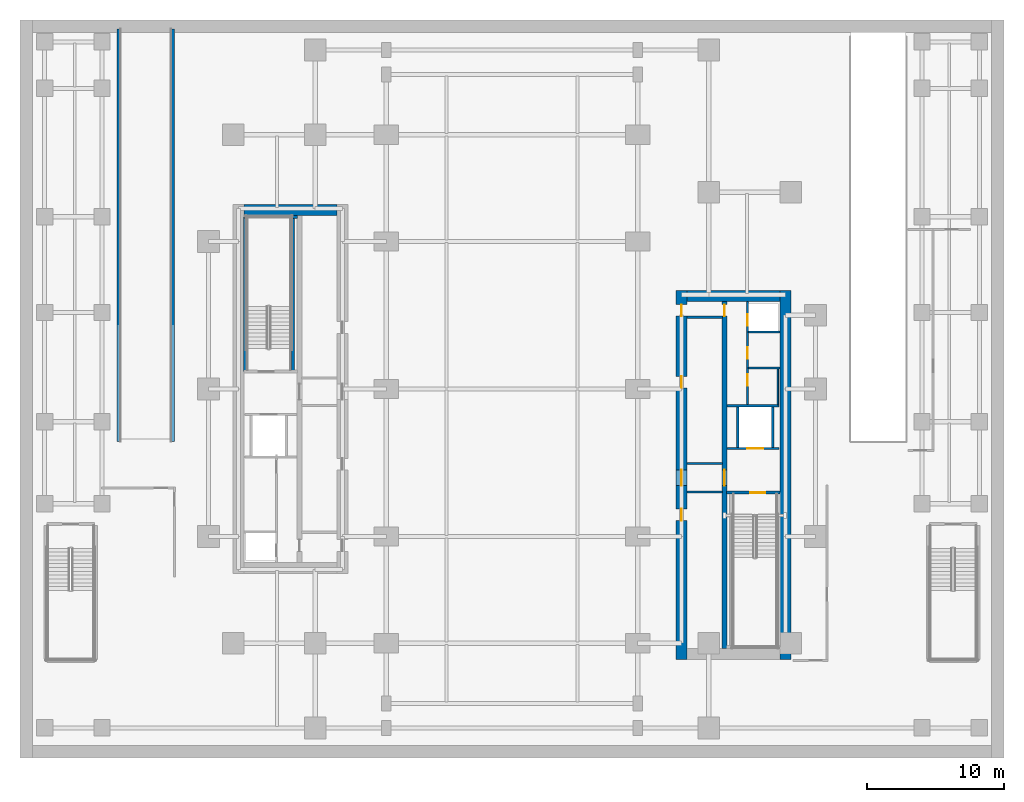
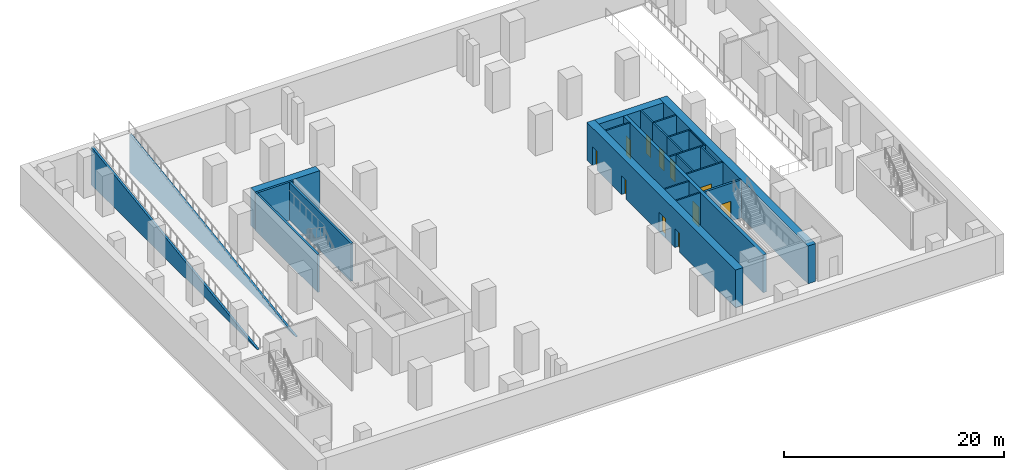
# One storey, part 6 of 14: 24 walls, 11 doors, 11 openings.
"""IFC4 building model written with IfcOpenShell, lengths in metres."""

from ifc_helpers import new_model, si_unit, direction, frame, frame_2d, origin, place, context, subcontext, project, spatial, polyline, rectangle, outline, extrude, material, layer, layer_set, type_object, element, fill, save


model = new_model("IFC4")

# Units and contexts
model_context = context("Model", 3, precision=1e-05, world=origin(), true_north=direction((0.0, 1.0)))
body_context = subcontext(model_context, "Body", "Model", "MODEL_VIEW")
ifc_project = project(units=[si_unit("LENGTHUNIT", "METRE"), si_unit("AREAUNIT", "SQUARE_METRE"), si_unit("VOLUMEUNIT", "CUBIC_METRE"), si_unit("PLANEANGLEUNIT", "RADIAN"), si_unit("MASSUNIT", "GRAM", prefix="KILO")], contexts=[model_context])

# Site, building, storey
site_placement = place(None, origin())
site = spatial("IfcSite", under=ifc_project, at=site_placement, CompositionType="ELEMENT")
building_placement = place(site_placement, origin())
building = spatial("IfcBuilding", under=site, at=building_placement, Name="Khairoan Windgate Tower", CompositionType="ELEMENT")
storey_placement = place(building_placement, frame((0.0, 0.0, -4.5)))
storey = spatial("IfcBuildingStorey", under=building, at=storey_placement, Name="B1", CompositionType="ELEMENT", Elevation=-4.5)

# Wall
ifc_material_1 = material(Name="Moisture-Resistant Gypsum Partition", Category="gypsum")
ifc_layer_1 = layer(ifc_material_1, 0.10009765625, Name="Moisture-Resistant Gypsum Partition")
ifc_layer_set_1 = layer_set([ifc_layer_1], Name="Moisture-Resistant Gypsum Partition")
wall_type_1 = type_object("IfcWallType", Name="Bathroom Wet-Area Partition Wall", PredefinedType="PARTITIONING", material=ifc_layer_set_1)
wall_1_placement = place(storey_placement, frame((19.449951171875, 1.449951171875, 0.0), z_axis=(0.0, 0.0, 1.0), x_axis=(0.0, -1.0, 0.0)))
element("IfcWall", 1, at=wall_1_placement, inside=storey, type_object=wall_type_1, Name="B1 Wet Room Side Wall 017", PredefinedType="PARTITIONING", context=body_context, shape_type="SweptSolid", body=[
    extrude(rectangle(XDim=2.58984375, YDim=0.10009765625, at=frame_2d((1.294921875, 0.0))), origin(), (0.0, 0.0, 1.0), 4.199951171875),
])

# Wall, opening, door
ifc_material_2 = material(Name="Concrete C40/50", Category="concrete")
ifc_layer_2 = layer(ifc_material_2, 0.159912109375, Name="Concrete C40/50")
ifc_layer_set_2 = layer_set([ifc_layer_2], Name="Concrete C40/50")
wall_type_2 = type_object("IfcWallType", Name="Core and Hoistway Enclosure Wall", PredefinedType="STANDARD", material=ifc_layer_set_2)
wall_2_placement = place(storey_placement, frame((15.75, -4.360107421875, 0.0), z_axis=(0.0, 0.0, 1.0), x_axis=(1.0, 0.0, 0.0)))
wall_2 = element("IfcWall", 2, at=wall_2_placement, inside=storey, type_object=wall_type_2, Name="B1 Core Shaft Wall SW-FL1-B1", PredefinedType="STANDARD", context=body_context, shape_type="SweptSolid", body=[
    extrude(rectangle(XDim=3.800048828125, YDim=0.159912109375, at=frame_2d((1.89990234375, 0.0))), origin(), (0.0, 0.0, 1.0), 4.199951171875),
])
opening_1_placement = place(wall_2_placement, frame((1.469970703125, 0.0, 0.0)))
opening_1 = element("IfcOpeningElement", 3, at=opening_1_placement, cuts=wall_2, Name="Opening LD-FL", PredefinedType="OPENING", context=body_context, shape_type="SweptSolid", body=[
    extrude(rectangle(XDim=1.14990234375, YDim=2.199951171875, at=frame_2d((0.574951171875, 1.10009765625))), frame((0.0, 0.08984375, 0.0), z_axis=(0.0, -1.0, 0.0), x_axis=(1.0, 0.0, 0.0)), (0.0, 0.0, 1.0), 0.179931640625),
])
ifc_material_3 = material(Name="Steel S355", Category="steel")
door_type_1 = type_object("IfcDoorType", Name="Firefighting Lift Sliding Landing Door LD-FL 1150x2200", OperationType="DOUBLE_DOOR_SLIDING", PredefinedType="DOOR", material=ifc_material_3)
door_1_placement = place(opening_1_placement, origin())
door_1 = element("IfcDoor", 4, at=door_1_placement, inside=storey, type_object=door_type_1, Name="B1 Firefighting Lift FL1 Landing Door", OperationType="DOUBLE_DOOR_SLIDING", OverallHeight=2.199951171875, OverallWidth=1.14990234375, PredefinedType="DOOR", context=body_context, shape_type="SweptSolid", body=[
    extrude(rectangle(XDim=1.14990234375, YDim=2.199951171875, at=frame_2d((0.574951171875, 1.10009765625))), frame((0.0, 0.02490234375, 0.0), z_axis=(0.0, -1.0, 0.0), x_axis=(1.0, 0.0, 0.0)), (0.0, 0.0, 1.0), 0.050048828125),
])
fill(opening_1, door_1)

# Walls
wall_3_placement = place(storey_placement, frame((15.75, -1.219970703125, 0.0), z_axis=(0.0, 0.0, 1.0), x_axis=(1.0, 0.0, 0.0)))
element("IfcWall", 5, at=wall_3_placement, inside=storey, type_object=wall_type_2, Name="B1 Core Shaft Wall SW-FL1T-B1", PredefinedType="STANDARD", context=body_context, shape_type="SweptSolid", body=[
    extrude(rectangle(XDim=3.800048828125, YDim=0.159912109375, at=frame_2d((1.89990234375, 0.0))), origin(), (0.0, 0.0, 1.0), 4.199951171875),
])
for number, where, z_axis, x_axis, name in (
    (6, (16.52001953125, -4.280029296875, 0.0), (0.0, 0.0, 1.0), (0.0, 1.0, 0.0), "B1 Core Shaft Wall SW-FL1W-B1"),
    (7, (19.080078125, -4.280029296875, 0.0), (0.0, 0.0, 1.0), (0.0, 1.0, 0.0), "B1 Core Shaft Wall SW-FL1E-B1"),
):
    element("IfcWall", number, at=place(storey_placement, frame(where, z_axis=z_axis, x_axis=x_axis)), inside=storey, type_object=wall_type_2, Name=name, PredefinedType="STANDARD", context=body_context, shape_type="SweptSolid", body=[
        extrude(rectangle(XDim=2.97998046875, YDim=0.159912109375, at=frame_2d((1.489990234375, 0.0))), origin(), (0.0, 0.0, 1.0), 4.199951171875),
    ])
for number, where, z_axis, x_axis, name in (
    (8, (12.800048828125, -5.449951171875, 0.0), (0.0, 0.0, 1.0), (1.0, 0.0, 0.0), "B1 Core Shaft Wall SW-EV1-B1"),
    (9, (12.800048828125, -7.5400390625, 0.0), (0.0, 0.0, 1.0), (1.0, 0.0, 0.0), "B1 Core Shaft Wall SW-EV2-B1"),
    (10, (12.800048828125, 5.25, 0.0), (0.0, 0.0, 1.0), (1.0, 0.0, 0.0), "B1 Core Shaft Wall SW-ESV-B1"),
):
    element("IfcWall", number, at=place(storey_placement, frame(where, z_axis=z_axis, x_axis=x_axis)), inside=storey, type_object=wall_type_2, Name=name, PredefinedType="STANDARD", context=body_context, shape_type="SweptSolid", body=[
        extrude(rectangle(XDim=2.599853515625, YDim=0.159912109375, at=frame_2d((1.2998046875, 0.0))), origin(), (0.0, 0.0, 1.0), 4.199951171875),
    ])

# Wall, opening, door
ifc_material_4 = material(Name="Concrete C40/50", Category="concrete")
ifc_layer_3 = layer(ifc_material_4, 0.159912109375, Name="Concrete C40/50")
ifc_layer_set_3 = layer_set([ifc_layer_3], Name="Concrete C40/50")
wall_type_3 = type_object("IfcWallType", Name="Plant and Refuge Compartment Wall", PredefinedType="PARTITIONING", material=ifc_layer_set_3)
wall_4_placement = place(storey_placement, frame((17.22998046875, 4.169921875, 0.0), z_axis=(0.0, 0.0, 1.0), x_axis=(0.0, 1.0, 0.0)))
wall_4 = element("IfcWall", 11, at=wall_4_placement, inside=storey, type_object=wall_type_3, Name="B1 Interior Partition 004", PredefinedType="PARTITIONING", context=body_context, shape_type="SweptSolid", body=[
    extrude(rectangle(XDim=2.22998046875, YDim=0.159912109375, at=frame_2d((1.114990234375, 0.0))), origin(), (0.0, 0.0, 1.0), 4.199951171875),
])
opening_2_placement = place(wall_4_placement, frame((0.4599609375, 0.0, 0.0)))
opening_2 = element("IfcOpeningElement", 12, at=opening_2_placement, cuts=wall_4, Name="Opening FD-SRV", PredefinedType="OPENING", context=body_context, shape_type="SweptSolid", body=[
    extrude(rectangle(XDim=0.85009765625, YDim=2.10009765625, at=frame_2d((0.425048828125, 1.050048828125))), frame((0.0, 0.08984375, 0.0), z_axis=(0.0, -1.0, 0.0), x_axis=(1.0, 0.0, 0.0)), (0.0, 0.0, 1.0), 0.179931640625),
])
ifc_material_5 = material(Name="Steel S355", Category="steel")
door_type_2 = type_object("IfcDoorType", Name="Core Service and Riser Fire Door FD-SRV 850x2100", OperationType="NOTDEFINED", PredefinedType="DOOR", material=ifc_material_5)
door_2_placement = place(opening_2_placement, origin())
door_2 = element("IfcDoor", 13, at=door_2_placement, inside=storey, type_object=door_type_2, Name="B1 B1-14-B1-15 Door", OperationType="SINGLE_SWING_LEFT", OverallHeight=2.10009765625, OverallWidth=0.85009765625, PredefinedType="DOOR", context=body_context, shape_type="SweptSolid", body=[
    extrude(rectangle(XDim=0.85009765625, YDim=2.10009765625, at=frame_2d((0.425048828125, 1.050048828125))), frame((0.0, 0.02490234375, 0.0), z_axis=(0.0, -1.0, 0.0), x_axis=(1.0, 0.0, 0.0)), (0.0, 0.0, 1.0), 0.050048828125),
])
fill(opening_2, door_2)

wall_5_placement = place(storey_placement, frame((17.22998046875, -1.139892578125, 0.0), z_axis=(0.0, 0.0, 1.0), x_axis=(0.0, 1.0, 0.0)))
wall_5 = element("IfcWall", 14, at=wall_5_placement, inside=storey, type_object=wall_type_3, Name="B1 Interior Partition 005", PredefinedType="PARTITIONING", context=body_context, shape_type="SweptSolid", body=[
    extrude(rectangle(XDim=2.669921875, YDim=0.159912109375, at=frame_2d((1.3349609375, 0.0))), origin(), (0.0, 0.0, 1.0), 4.199951171875),
])
opening_3_placement = place(wall_5_placement, frame((1.360107421875, 0.0, 0.0)))
opening_3 = element("IfcOpeningElement", 15, at=opening_3_placement, cuts=wall_5, Name="Opening FD-SRV", PredefinedType="OPENING", context=body_context, shape_type="SweptSolid", body=[
    extrude(rectangle(XDim=0.85009765625, YDim=2.10009765625, at=frame_2d((0.425048828125, 1.050048828125))), frame((0.0, 0.08984375, 0.0), z_axis=(0.0, -1.0, 0.0), x_axis=(1.0, 0.0, 0.0)), (0.0, 0.0, 1.0), 0.179931640625),
])
door_3_placement = place(opening_3_placement, origin())
door_3 = element("IfcDoor", 16, at=door_3_placement, inside=storey, type_object=door_type_2, Name="B1 B1-14-B1-16 Door", OperationType="SINGLE_SWING_RIGHT", OverallHeight=2.10009765625, OverallWidth=0.85009765625, PredefinedType="DOOR", context=body_context, shape_type="SweptSolid", body=[
    extrude(rectangle(XDim=0.85009765625, YDim=2.10009765625, at=frame_2d((0.425048828125, 1.050048828125))), frame((0.0, 0.02490234375, 0.0), z_axis=(0.0, -1.0, 0.0), x_axis=(1.0, 0.0, 0.0)), (0.0, 0.0, 1.0), 0.050048828125),
])
fill(opening_3, door_3)

wall_6_placement = place(storey_placement, frame((17.22998046875, 1.530029296875, 0.0), z_axis=(0.0, 0.0, 1.0), x_axis=(0.0, 1.0, 0.0)))
wall_6 = element("IfcWall", 17, at=wall_6_placement, inside=storey, type_object=wall_type_3, Name="B1 Interior Partition 006", PredefinedType="PARTITIONING", context=body_context, shape_type="SweptSolid", body=[
    extrude(rectangle(XDim=2.639892578125, YDim=0.159912109375, at=frame_2d((1.31982421875, 0.0))), origin(), (0.0, 0.0, 1.0), 4.199951171875),
])
opening_4_placement = place(wall_6_placement, frame((0.677490234375, 0.0, 0.0)))
opening_4 = element("IfcOpeningElement", 18, at=opening_4_placement, cuts=wall_6, Name="Opening FD-SRV", PredefinedType="OPENING", context=body_context, shape_type="SweptSolid", body=[
    extrude(rectangle(XDim=0.85009765625, YDim=2.10009765625, at=frame_2d((0.425048828125, 1.050048828125))), frame((0.0, 0.08984375, 0.0), z_axis=(0.0, -1.0, 0.0), x_axis=(1.0, 0.0, 0.0)), (0.0, 0.0, 1.0), 0.179931640625),
])
door_4_placement = place(opening_4_placement, origin())
door_4 = element("IfcDoor", 19, at=door_4_placement, inside=storey, type_object=door_type_2, Name="B1 B1-14-B1-17 Door", OperationType="SINGLE_SWING_LEFT", OverallHeight=2.10009765625, OverallWidth=0.85009765625, PredefinedType="DOOR", context=body_context, shape_type="SweptSolid", body=[
    extrude(rectangle(XDim=0.85009765625, YDim=2.10009765625, at=frame_2d((0.425048828125, 1.050048828125))), frame((0.0, 0.02490234375, 0.0), z_axis=(0.0, -1.0, 0.0), x_axis=(1.0, 0.0, 0.0)), (0.0, 0.0, 1.0), 0.050048828125),
])
fill(opening_4, door_4)

# Walls
for number, where, z_axis, x_axis, name in (
    (20, (17.31005859375, 4.169921875, 0.0), (0.0, 0.0, 1.0), (1.0, 0.0, 0.0), "B1 Interior Partition 007"),
    (21, (17.31005859375, 1.530029296875, 0.0), (0.0, 0.0, 1.0), (1.0, 0.0, 0.0), "B1 Interior Partition 008"),
):
    element("IfcWall", number, at=place(storey_placement, frame(where, z_axis=z_axis, x_axis=x_axis)), inside=storey, type_object=wall_type_3, Name=name, PredefinedType="PARTITIONING", context=body_context, shape_type="SweptSolid", body=[
        extrude(rectangle(XDim=2.2900390625, YDim=0.159912109375, at=frame_2d((1.14501953125, 0.0))), origin(), (0.0, 0.0, 1.0), 4.199951171875),
    ])

# Wall, openings, doors
ifc_material_6 = material(Name="Concrete C70/85", Category="concrete")
ifc_layer_4 = layer(ifc_material_6, 0.800048828125, Name="Concrete C70/85")
ifc_layer_set_4 = layer_set([ifc_layer_4], Name="Concrete C70/85")
wall_type_4 = type_object("IfcWallType", Name="Shear Wall CW-E1 800mm", PredefinedType="SHEAR", material=ifc_layer_set_4)
wall_7_placement = place(storey_placement, frame((12.39990234375, -19.800048828125, 0.0), z_axis=(0.0, 0.0, 1.0), x_axis=(0.0, 1.0, 0.0)))
wall_7 = element("IfcWall", 22, at=wall_7_placement, inside=storey, type_object=wall_type_4, Name="E Core West Shear Wall B1", PredefinedType="SHEAR", context=body_context, shape_type="SweptSolid", body=[
    extrude(rectangle(XDim=27.0, YDim=0.800048828125, at=frame_2d((13.5, 0.0))), origin(), (0.0, 0.0, 1.0), 4.199951171875),
])
opening_5_placement = place(wall_7_placement, frame((19.875, 0.0, 0.0)))
opening_5 = element("IfcOpeningElement", 23, at=opening_5_placement, cuts=wall_7, Name="Opening FD-SRV", PredefinedType="OPENING", context=body_context, shape_type="SweptSolid", body=[
    extrude(rectangle(XDim=0.85009765625, YDim=2.10009765625, at=frame_2d((0.425048828125, 1.050048828125))), frame((0.0, 0.409912109375, 0.0), z_axis=(0.0, -1.0, 0.0), x_axis=(1.0, 0.0, 0.0)), (0.0, 0.0, 1.0), 0.820068359375),
])
opening_6_placement = place(wall_7_placement, frame((10.175048828125, 0.0, 0.0)))
opening_6 = element("IfcOpeningElement", 24, at=opening_6_placement, cuts=wall_7, Name="Opening FD-SRV", PredefinedType="OPENING", context=body_context, shape_type="SweptSolid", body=[
    extrude(rectangle(XDim=0.85009765625, YDim=2.10009765625, at=frame_2d((0.425048828125, 1.050048828125))), frame((0.0, 0.409912109375, 0.0), z_axis=(0.0, -1.0, 0.0), x_axis=(1.0, 0.0, 0.0)), (0.0, 0.0, 1.0), 0.820068359375),
])
opening_7_placement = place(wall_7_placement, frame((12.72509765625, 0.0, 0.0)))
opening_7 = element("IfcOpeningElement", 25, at=opening_7_placement, cuts=wall_7, Name="Opening FD-FFL", PredefinedType="OPENING", context=body_context, shape_type="SweptSolid", body=[
    extrude(rectangle(XDim=1.14990234375, YDim=2.199951171875, at=frame_2d((0.574951171875, 1.10009765625))), frame((0.0, 0.409912109375, 0.0), z_axis=(0.0, -1.0, 0.0), x_axis=(1.0, 0.0, 0.0)), (0.0, 0.0, 1.0), 0.820068359375),
])
opening_8_placement = place(wall_7_placement, frame((25.125, 0.0, 0.0)))
opening_8 = element("IfcOpeningElement", 26, at=opening_8_placement, cuts=wall_7, Name="Opening FD-SRV", PredefinedType="OPENING", context=body_context, shape_type="SweptSolid", body=[
    extrude(rectangle(XDim=0.85009765625, YDim=2.10009765625, at=frame_2d((0.425048828125, 1.050048828125))), frame((0.0, 0.409912109375, 0.0), z_axis=(0.0, -1.0, 0.0), x_axis=(1.0, 0.0, 0.0)), (0.0, 0.0, 1.0), 0.820068359375),
])
door_5_placement = place(opening_5_placement, origin())
door_5 = element("IfcDoor", 27, at=door_5_placement, inside=storey, type_object=door_type_2, Name="B1 East Basement Fan Plant Door", OperationType="SINGLE_SWING_LEFT", OverallHeight=2.10009765625, OverallWidth=0.85009765625, PredefinedType="DOOR", context=body_context, shape_type="SweptSolid", body=[
    extrude(rectangle(XDim=0.85009765625, YDim=2.10009765625, at=frame_2d((0.425048828125, 1.050048828125))), frame((0.0, 0.02490234375, 0.0), z_axis=(0.0, -1.0, 0.0), x_axis=(1.0, 0.0, 0.0)), (0.0, 0.0, 1.0), 0.050048828125),
])
fill(opening_5, door_5)
door_6_placement = place(opening_6_placement, origin())
door_6 = element("IfcDoor", 28, at=door_6_placement, inside=storey, type_object=door_type_2, Name="B1 East Core Service Room Door 1", OperationType="SINGLE_SWING_RIGHT", OverallHeight=2.10009765625, OverallWidth=0.85009765625, PredefinedType="DOOR", context=body_context, shape_type="SweptSolid", body=[
    extrude(rectangle(XDim=0.85009765625, YDim=2.10009765625, at=frame_2d((0.425048828125, 1.050048828125))), frame((0.0, 0.02490234375, 0.0), z_axis=(0.0, -1.0, 0.0), x_axis=(1.0, 0.0, 0.0)), (0.0, 0.0, 1.0), 0.050048828125),
])
fill(opening_6, door_6)
door_7_placement = place(opening_8_placement, origin())
door_7 = element("IfcDoor", 29, at=door_7_placement, inside=storey, type_object=door_type_2, Name="B1 East Core Service Vestibule Outer Door", OperationType="SINGLE_SWING_LEFT", OverallHeight=2.10009765625, OverallWidth=0.85009765625, PredefinedType="DOOR", context=body_context, shape_type="SweptSolid", body=[
    extrude(rectangle(XDim=0.85009765625, YDim=2.10009765625, at=frame_2d((0.425048828125, 1.050048828125))), frame((0.0, 0.02490234375, 0.0), z_axis=(0.0, -1.0, 0.0), x_axis=(1.0, 0.0, 0.0)), (0.0, 0.0, 1.0), 0.050048828125),
])
fill(opening_8, door_7)
ifc_material_7 = material(Name="Steel S355", Category="steel")
door_type_3 = type_object("IfcDoorType", Name="Firefighting Lobby Fire Door FD-FFL 1150x2200", OperationType="NOTDEFINED", PredefinedType="DOOR", material=ifc_material_7)
door_8_placement = place(opening_7_placement, origin())
door_8 = element("IfcDoor", 30, at=door_8_placement, inside=storey, type_object=door_type_3, Name="B1 East Core Vestibule Entry Door", OperationType="SINGLE_SWING_LEFT", OverallHeight=2.199951171875, OverallWidth=1.14990234375, PredefinedType="DOOR", context=body_context, shape_type="SweptSolid", body=[
    extrude(rectangle(XDim=1.14990234375, YDim=2.199951171875, at=frame_2d((0.574951171875, 1.10009765625))), frame((0.0, 0.02490234375, 0.0), z_axis=(0.0, -1.0, 0.0), x_axis=(1.0, 0.0, 0.0)), (0.0, 0.0, 1.0), 0.050048828125),
])
fill(opening_7, door_8)

# Walls
wall_8_placement = place(storey_placement, frame((20.0, -19.800048828125, 0.0), z_axis=(0.0, 0.0, 1.0), x_axis=(0.0, 1.0, 0.0)))
element("IfcWall", 31, at=wall_8_placement, inside=storey, type_object=wall_type_4, Name="E Core East Shear Wall B1", PredefinedType="SHEAR", context=body_context, shape_type="SweptSolid", body=[
    extrude(rectangle(XDim=27.0, YDim=0.800048828125, at=frame_2d((13.5, 0.0))), origin(), (0.0, 0.0, 1.0), 4.199951171875),
])
wall_9_placement = place(storey_placement, frame((12.800048828125, 6.800048828125, 0.0), z_axis=(0.0, 0.0, 1.0), x_axis=(1.0, 0.0, 0.0)))
element("IfcWall", 32, at=wall_9_placement, inside=storey, type_object=wall_type_4, Name="E Core North Shear Wall B1", PredefinedType="SHEAR", context=body_context, shape_type="SweptSolid", body=[
    extrude(rectangle(XDim=6.800048828125, YDim=0.800048828125, at=frame_2d((3.39990234375, 0.0))), origin(), (0.0, 0.0, 1.0), 4.199951171875),
])
ifc_material_8 = material(Name="Concrete C70/85", Category="concrete")
ifc_layer_5 = layer(ifc_material_8, 0.800048828125, Name="Concrete C70/85")
ifc_layer_set_5 = layer_set([ifc_layer_5], Name="Concrete C70/85")
wall_type_5 = type_object("IfcWallType", Name="Shear Wall CW-W1 800mm", PredefinedType="SHEAR", material=ifc_layer_set_5)
wall_10_placement = place(storey_placement, frame((-19.60009765625, 13.10009765625, 0.0), z_axis=(0.0, 0.0, 1.0), x_axis=(1.0, 0.0, 0.0)))
element("IfcWall", 33, at=wall_10_placement, inside=storey, type_object=wall_type_5, Name="W Core North Shear Wall B1", PredefinedType="SHEAR", context=body_context, shape_type="SweptSolid", body=[
    extrude(rectangle(XDim=6.800048828125, YDim=0.800048828125, at=frame_2d((3.39990234375, 0.0))), origin(), (0.0, 0.0, 1.0), 4.199951171875),
])

# Wall, openings, doors
ifc_material_9 = material(Name="Concrete C60/75", Category="concrete")
ifc_layer_6 = layer(ifc_material_9, 0.35009765625, Name="Concrete C60/75")
ifc_layer_set_6 = layer_set([ifc_layer_6], Name="Concrete C60/75")
wall_type_6 = type_object("IfcWallType", Name="Shear Wall SW-1 350mm", PredefinedType="SHEAR", material=ifc_layer_set_6)
wall_11_placement = place(storey_placement, frame((15.550048828125, -19.0, 0.0), z_axis=(0.0, 0.0, 1.0), x_axis=(0.0, 1.0, 0.0)))
wall_11 = element("IfcWall", 34, at=wall_11_placement, inside=storey, type_object=wall_type_6, Name="E Core Spine Shear Wall B1", PredefinedType="SHEAR", context=body_context, shape_type="SweptSolid", body=[
    extrude(rectangle(XDim=25.39990234375, YDim=0.35009765625, at=frame_2d((12.699951171875, 0.0))), origin(), (0.0, 0.0, 1.0), 4.199951171875),
])
opening_9_placement = place(wall_11_placement, frame((11.925048828125, 0.0, 0.0)))
opening_9 = element("IfcOpeningElement", 35, at=opening_9_placement, cuts=wall_11, Name="Opening FD-FFL", PredefinedType="OPENING", context=body_context, shape_type="SweptSolid", body=[
    extrude(rectangle(XDim=1.14990234375, YDim=2.199951171875, at=frame_2d((0.574951171875, 1.10009765625))), frame((0.0, 0.18505859375, 0.0), z_axis=(0.0, -1.0, 0.0), x_axis=(1.0, 0.0, 0.0)), (0.0, 0.0, 1.0), 0.3701171875),
])
opening_10_placement = place(wall_11_placement, frame((24.324951171875, 0.0, 0.0)))
opening_10 = element("IfcOpeningElement", 36, at=opening_10_placement, cuts=wall_11, Name="Opening FD-SRV", PredefinedType="OPENING", context=body_context, shape_type="SweptSolid", body=[
    extrude(rectangle(XDim=0.85009765625, YDim=2.10009765625, at=frame_2d((0.425048828125, 1.050048828125))), frame((0.0, 0.18505859375, 0.0), z_axis=(0.0, -1.0, 0.0), x_axis=(1.0, 0.0, 0.0)), (0.0, 0.0, 1.0), 0.3701171875),
])
door_9_placement = place(opening_10_placement, origin())
door_9 = element("IfcDoor", 37, at=door_9_placement, inside=storey, type_object=door_type_2, Name="B1 East Core Service Passage Inner Door", OperationType="SINGLE_SWING_RIGHT", OverallHeight=2.10009765625, OverallWidth=0.85009765625, PredefinedType="DOOR", context=body_context, shape_type="SweptSolid", body=[
    extrude(rectangle(XDim=0.85009765625, YDim=2.10009765625, at=frame_2d((0.425048828125, 1.050048828125))), frame((0.0, 0.02490234375, 0.0), z_axis=(0.0, -1.0, 0.0), x_axis=(1.0, 0.0, 0.0)), (0.0, 0.0, 1.0), 0.050048828125),
])
fill(opening_10, door_9)
door_10_placement = place(opening_9_placement, origin())
door_10 = element("IfcDoor", 38, at=door_10_placement, inside=storey, type_object=door_type_3, Name="B1 East Firefighting Lobby Fire Door", OperationType="SINGLE_SWING_RIGHT", OverallHeight=2.199951171875, OverallWidth=1.14990234375, PredefinedType="DOOR", context=body_context, shape_type="SweptSolid", body=[
    extrude(rectangle(XDim=1.14990234375, YDim=2.199951171875, at=frame_2d((0.574951171875, 1.10009765625))), frame((0.0, 0.02490234375, 0.0), z_axis=(0.0, -1.0, 0.0), x_axis=(1.0, 0.0, 0.0)), (0.0, 0.0, 1.0), 0.050048828125),
])
fill(opening_9, door_10)

# Wall, opening, door
ifc_material_10 = material(Name="Concrete C50/60", Category="concrete")
ifc_layer_7 = layer(ifc_material_10, 0.219970703125, Name="Concrete C50/60")
ifc_layer_set_7 = layer_set([ifc_layer_7], Name="Concrete C50/60")
wall_type_7 = type_object("IfcWallType", Name="Shear Wall SW-ST 220mm", PredefinedType="SHEAR", material=ifc_layer_set_7)
wall_12_placement = place(storey_placement, frame((19.6201171875, -7.590087890625, 0.0), z_axis=(0.0, 0.0, 1.0), x_axis=(-1.0, 0.0, 0.0)))
wall_12 = element("IfcWall", 39, at=wall_12_placement, inside=storey, type_object=wall_type_7, Name="B1 Stair ST1 North Bearing Wall", PredefinedType="SHEAR", context=body_context, shape_type="SweptSolid", body=[
    extrude(rectangle(XDim=3.9150390625, YDim=0.219970703125, at=frame_2d((1.95751953125, 0.0))), origin(), (0.0, 0.0, 1.0), 4.199951171875),
])
opening_11_placement = place(wall_12_placement, frame((1.080078125, 0.0, 0.0)))
opening_11 = element("IfcOpeningElement", 40, at=opening_11_placement, cuts=wall_12, Name="Opening FD-ST", PredefinedType="OPENING", context=body_context, shape_type="SweptSolid", body=[
    extrude(rectangle(XDim=1.10009765625, YDim=2.199951171875, at=frame_2d((0.550048828125, 1.10009765625))), frame((0.0, 0.119873046875, 0.0), z_axis=(0.0, -1.0, 0.0), x_axis=(1.0, 0.0, 0.0)), (0.0, 0.0, 1.0), 0.239990234375),
])
ifc_material_11 = material(Name="Steel S355", Category="steel")
door_type_4 = type_object("IfcDoorType", Name="Smokeproof Stair Fire Door FD-ST 1100x2200", OperationType="NOTDEFINED", PredefinedType="DOOR", material=ifc_material_11)
door_11_placement = place(opening_11_placement, origin())
door_11 = element("IfcDoor", 41, at=door_11_placement, inside=storey, type_object=door_type_4, Name="B1 Stair ST1 Fire Door", OperationType="SINGLE_SWING_LEFT", OverallHeight=2.199951171875, OverallWidth=1.10009765625, PredefinedType="DOOR", context=body_context, shape_type="SweptSolid", body=[
    extrude(rectangle(XDim=1.10009765625, YDim=2.199951171875, at=frame_2d((0.550048828125, 1.10009765625))), frame((0.0, 0.02490234375, 0.0), z_axis=(0.0, -1.0, 0.0), x_axis=(1.0, 0.0, 0.0)), (0.0, 0.0, 1.0), 0.050048828125),
])
fill(opening_11, door_11)

# Walls
for number, where, z_axis, x_axis, name in (
    (42, (-16.0400390625, 1.2900390625, 0.0), (0.0, 0.0, 1.0), (0.0, 1.0, 0.0), "B1 Stair ST2 East Bearing Wall"),
    (43, (-19.530029296875, 1.2900390625, 0.0), (0.0, 0.0, 1.0), (0.0, 1.0, 0.0), "B1 Stair ST2 West Bearing Wall"),
):
    element("IfcWall", number, at=place(storey_placement, frame(where, z_axis=z_axis, x_axis=x_axis)), inside=storey, type_object=wall_type_7, Name=name, PredefinedType="SHEAR", context=body_context, shape_type="SweptSolid", body=[
        extrude(rectangle(XDim=11.300048828125, YDim=0.219970703125, at=frame_2d((5.64990234375, 0.0))), origin(), (0.0, 0.0, 1.0), 4.199951171875),
    ])
wall_13_placement = place(storey_placement, frame((-19.6201171875, 12.590087890625, 0.0), z_axis=(0.0, 0.0, 1.0), x_axis=(1.0, 0.0, 0.0)))
element("IfcWall", 44, at=wall_13_placement, inside=storey, type_object=wall_type_7, Name="B1 Stair ST2 North Bearing Wall", PredefinedType="SHEAR", context=body_context, shape_type="SweptSolid", body=[
    extrude(rectangle(XDim=3.9150390625, YDim=0.219970703125, at=frame_2d((1.95751953125, 0.0))), origin(), (0.0, 0.0, 1.0), 4.199951171875),
])
for number, where, z_axis, x_axis, name in (
    (45, (-28.81005859375, -3.840087890625, 0.0), (0.0, 0.0, 1.0), (0.0, 1.0, 0.0), "Car Park Vehicular Ramp R1 (L01 to B1) Structural Support Wall (W)"),
    (46, (-24.7900390625, -3.840087890625, 0.0), (0.0, 0.0, 1.0), (0.0, 1.0, 0.0), "Car Park Vehicular Ramp R1 (L01 to B1) Structural Support Wall (E)"),
):
    element("IfcWall", number, at=place(storey_placement, frame(where, z_axis=z_axis, x_axis=x_axis)), inside=storey, type_object=wall_type_7, Name=name, PredefinedType="SHEAR", context=body_context, shape_type="SweptSolid", body=[
        extrude(outline(polyline([(0.0, 0.0), (30.18017578125, 0.0), (30.179931640625, 4.199951171875), (0.0, 0.02001953125), (0.0, 0.0)])), frame((0.0, 0.10986328125, 0.0), z_axis=(0.0, -1.0, 0.0), x_axis=(1.0, 0.0, 0.0)), (0.0, 0.0, 1.0), 0.219970703125),
    ])

save(model, "model.ifc")
